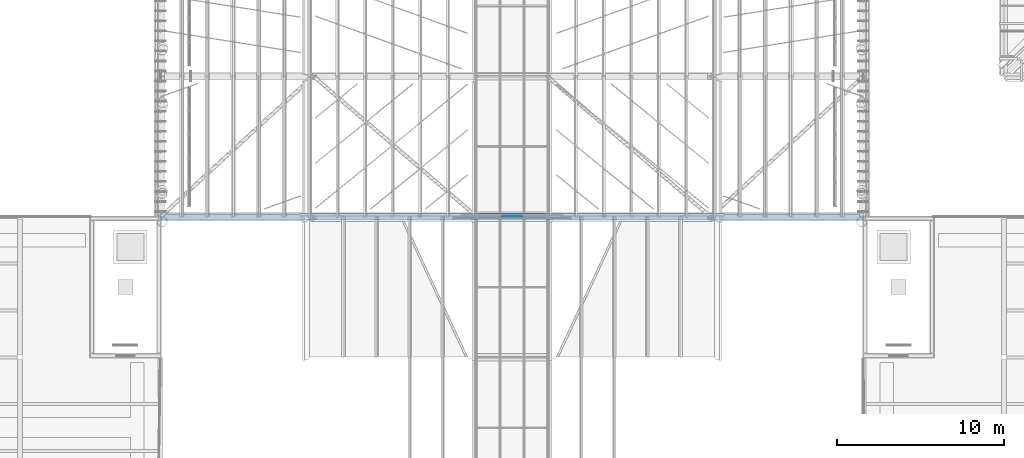
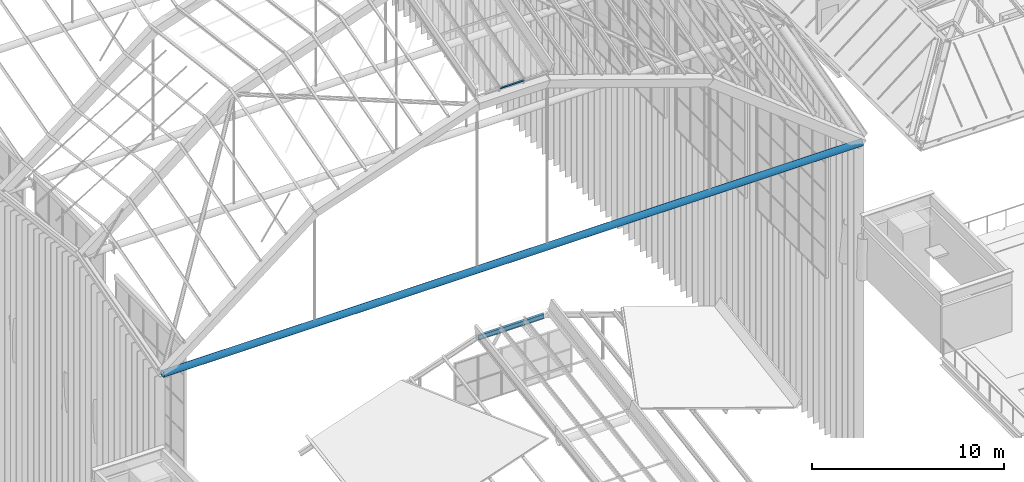
# One storey, part 18 of 126: 2 members, 1 beam.
"""IFC4 building model written with IfcOpenShell, lengths in metres."""

import ifcopenshell
import ifcopenshell.guid

model = None  # the IFC model being written
_history = None  # IfcOwnerHistory: only IFC2X3 demands one
_inside = {}  # id of a spatial element -> (the spatial element, [elements in it])
_under = {}  # id of a project, library or spatial element -> (it, [spatial elements below it])
_declared = {}  # id of a project -> (the project, [libraries it declares])
_typed = {}  # id of a type object -> (the type object, [elements of that type])
_made_of = {}  # id of a material, layer set ... -> (it, [elements and type objects made of it])


def new_model(schema):
    """Start an empty IFC model of exactly this schema.

    Asked for "IFC4X3", IfcOpenShell would pick the latest addendum, in which some entities
    have other attributes; the version numbers below select the first issue.
    IFC2X3 requires an IfcOwnerHistory on every rooted entity: one is made here for all.
    """
    global model, _history
    if schema == "IFC4X3":
        model = ifcopenshell.file(schema_version=(4, 3, 0, 0))
    else:
        model = ifcopenshell.file(schema=schema)
    _inside.clear()
    _under.clear()
    _declared.clear()
    _typed.clear()
    _made_of.clear()
    _history = None
    if model.schema == "IFC2X3":
        org = make("IfcOrganization", Name="unknown")
        user = make(
            "IfcPersonAndOrganization",
            ThePerson=make("IfcPerson", FamilyName="unknown"),
            TheOrganization=org,
        )
        app = make(
            "IfcApplication",
            ApplicationDeveloper=org,
            Version="unknown",
            ApplicationFullName="unknown",
            ApplicationIdentifier="unknown",
        )
        _history = make(
            "IfcOwnerHistory",
            OwningUser=user,
            OwningApplication=app,
            ChangeAction="ADDED",
            CreationDate=0,
        )
    return model


def make(cls, **values):
    """One entity of the class cls with the attributes given. An attribute that is None is left unset."""
    return model.create_entity(
        cls, **{name: value for name, value in values.items() if value is not None}
    )


def rooted(cls, **values):
    """An entity with a GlobalId (a new one), such as an element, a storey or a relation."""
    return make(cls, GlobalId=ifcopenshell.guid.new(), OwnerHistory=_history, **values)


def si_unit(unit_type, name, prefix=None):
    """IfcSIUnit, for example si_unit("LENGTHUNIT", "METRE", prefix="MILLI")."""
    return make("IfcSIUnit", UnitType=unit_type, Prefix=prefix, Name=name)


def assignment(units):
    """IfcUnitAssignment: the units of a project."""
    return None if units is None else make("IfcUnitAssignment", Units=units)


def point(xyz):
    """IfcCartesianPoint."""
    return None if xyz is None else make("IfcCartesianPoint", Coordinates=xyz)


def direction(xyz):
    """IfcDirection."""
    return None if xyz is None else make("IfcDirection", DirectionRatios=xyz)


def frame(location, z_axis=None, x_axis=None):
    """IfcAxis2Placement3D, a coordinate frame: its origin and axes. An axis left out is left unset."""
    return make(
        "IfcAxis2Placement3D",
        Location=point(location),
        Axis=direction(z_axis),
        RefDirection=direction(x_axis),
    )


def frame_2d(location, x_axis=None):
    """IfcAxis2Placement2D, a coordinate frame in the plane: its origin and x axis."""
    return make(
        "IfcAxis2Placement2D", Location=point(location), RefDirection=direction(x_axis)
    )


def origin():
    """The frame at (0, 0, 0) with its axes left unset."""
    return frame((0.0, 0.0, 0.0))


def origin_2d():
    """The frame at (0, 0) in the plane with its x axis left unset."""
    return frame_2d((0.0, 0.0))


def place(relative_to, where):
    """IfcLocalPlacement: puts the frame where relative to a parent placement (None: the world)."""
    return make(
        "IfcLocalPlacement", PlacementRelTo=relative_to, RelativePlacement=where
    )


def context(
    kind, dimensions, precision=None, world=None, true_north=None, identifier=None
):
    """IfcGeometricRepresentationContext, for example the 3D "Model" context."""
    return make(
        "IfcGeometricRepresentationContext",
        ContextIdentifier=identifier,
        ContextType=kind,
        CoordinateSpaceDimension=dimensions,
        Precision=precision,
        WorldCoordinateSystem=world,
        TrueNorth=true_north,
    )


def subcontext(parent, identifier, kind, view, scale=None):
    """IfcGeometricRepresentationSubContext, for example "Body" below "Model"."""
    return make(
        "IfcGeometricRepresentationSubContext",
        ContextIdentifier=identifier,
        ContextType=kind,
        ParentContext=parent,
        TargetScale=scale,
        TargetView=view,
    )


def project(units=None, contexts=None):
    """IfcProject with its units and contexts."""
    return rooted(
        "IfcProject",
        Name="project",
        RepresentationContexts=contexts,
        UnitsInContext=assignment(units),
    )


def spatial(cls, under=None, at=None, **own):
    """A site, building, storey or space (cls), placed at a placement, below another one or the project."""
    s = rooted(cls, ObjectPlacement=at, **own)
    if under is not None:
        _under.setdefault(under.id(), (under, []))[1].append(s)
    return s


def profile(cls, at=None, kind="AREA", **sizes):
    """A parametric profile (cls). Its sizes go by their IFC names, for example OverallWidth=200.0."""
    return make(cls, ProfileType=kind, Position=at, **sizes)


def rectangle(**sizes):
    """IfcRectangleProfileDef."""
    return profile("IfcRectangleProfileDef", **sizes)


def hollow_circle(**sizes):
    """IfcCircleHollowProfileDef."""
    return profile("IfcCircleHollowProfileDef", **sizes)


def i_section(**sizes):
    """IfcIShapeProfileDef."""
    return profile("IfcIShapeProfileDef", **sizes)


def extrude(swept, where, along, depth):
    """IfcExtrudedAreaSolid: the profile swept, set in the frame where, extruded along a direction by depth."""
    return make(
        "IfcExtrudedAreaSolid",
        SweptArea=swept,
        Position=where,
        ExtrudedDirection=direction(along),
        Depth=depth,
    )


def shape(context_of_items, identifier, shape_type, items):
    """IfcShapeRepresentation: the items that make up one representation, for example the "Body"."""
    return make(
        "IfcShapeRepresentation",
        ContextOfItems=context_of_items,
        RepresentationIdentifier=identifier,
        RepresentationType=shape_type,
        Items=items,
    )


def material(Name=None, Category=None):
    """IfcMaterial."""
    return make("IfcMaterial", Name=Name, Category=Category)


def material_profile(
    of_material, cross_section, Name=None, Category=None, Priority=None
):
    """IfcMaterialProfile: a cross section and its material."""
    return make(
        "IfcMaterialProfile",
        Name=Name,
        Material=of_material,
        Profile=cross_section,
        Priority=Priority,
        Category=Category,
    )


def profile_set(profiles, Name=None, composite=None):
    """IfcMaterialProfileSet."""
    return make(
        "IfcMaterialProfileSet",
        Name=Name,
        MaterialProfiles=profiles,
        CompositeProfile=composite,
    )


def made_of(thing, what):
    """Note that an element or type object is made of a material, layer set ...; save() writes the relation."""
    if what is not None:
        _made_of.setdefault(what.id(), (what, []))[1].append(thing)
    return thing


def type_object(cls, material=None, **own):
    """A type object (cls), such as IfcWallType, which elements share."""
    return made_of(rooted(cls, **own), material)


def element(
    cls,
    number,
    at=None,
    inside=None,
    cuts=None,
    type_object=None,
    material=None,
    context=None,
    identifier="Body",
    shape_type=None,
    held_by="IfcProductDefinitionShape",
    body=None,
    shapes=None,
    **own,
):
    """One element of the class cls, such as IfcWall. Its Tag is "e" and its number.

    at: its placement. inside: the storey or other place that contains it. cuts: it is an
    opening in that element (IfcRelVoidsElement). A single representation is given by context,
    identifier, shape_type and body (its items); several are given by shapes. held_by: the class
    of the entity that holds the representations. save() writes the other relations.
    """
    e = rooted(cls, Tag="e%d" % number, ObjectPlacement=at, **own)
    if body is not None:
        shapes = [shape(context, identifier, shape_type, body)]
    if shapes is not None:
        e.Representation = make(held_by, Representations=shapes)
    if inside is not None:
        _inside.setdefault(inside.id(), (inside, []))[1].append(e)
    if cuts is not None:
        rooted(
            "IfcRelVoidsElement", RelatingBuildingElement=cuts, RelatedOpeningElement=e
        )
    if type_object is not None:
        _typed.setdefault(type_object.id(), (type_object, []))[1].append(e)
    return made_of(e, material)


def aggregate(whole, parts):
    """IfcRelAggregates: a whole, such as a stair, and the parts it consists of."""
    return rooted("IfcRelAggregates", RelatingObject=whole, RelatedObjects=parts)


def save(model, path):
    """Write the relations noted so far, then the file.

    IfcRelAggregates (storeys below a building ...), IfcRelContainedInSpatialStructure (elements
    in a storey), IfcRelDefinesByType, IfcRelAssociatesMaterial and IfcRelDeclares: one each for
    every whole, place, type object, material and project.
    """
    for whole, parts in _under.values():
        aggregate(whole, parts)
    for where, things in _inside.values():
        rooted(
            "IfcRelContainedInSpatialStructure",
            RelatedElements=things,
            RelatingStructure=where,
        )
    for kind, things in _typed.values():
        rooted("IfcRelDefinesByType", RelatedObjects=things, RelatingType=kind)
    for what, things in _made_of.values():
        rooted("IfcRelAssociatesMaterial", RelatedObjects=things, RelatingMaterial=what)
    for by, libraries in _declared.values():
        rooted("IfcRelDeclares", RelatingContext=by, RelatedDefinitions=libraries)
    model.write(path)


model = new_model("IFC4")

# Units and contexts
model_context = context("Model", 3, precision=1e-05, world=origin(), true_north=direction((0.0, 1.0)))
body_context = subcontext(model_context, "Body", "Model", "MODEL_VIEW")
ifc_project = project(units=[si_unit("LENGTHUNIT", "METRE"), si_unit("AREAUNIT", "SQUARE_METRE"), si_unit("VOLUMEUNIT", "CUBIC_METRE"), si_unit("PLANEANGLEUNIT", "RADIAN"), si_unit("MASSUNIT", "GRAM", prefix="KILO")], contexts=[model_context])

# Site, building, storey
site_placement = place(None, origin())
site = spatial("IfcSite", under=ifc_project, at=site_placement, CompositionType="ELEMENT")
building_placement = place(site_placement, origin())
building = spatial("IfcBuilding", under=site, at=building_placement, Name="Sava Quay Ferry Terminal", CompositionType="ELEMENT")
storey_placement = place(building_placement, frame((0.0, 0.0, 15.0)))
storey = spatial("IfcBuildingStorey", under=building, at=storey_placement, Name="L03", CompositionType="ELEMENT", Elevation=15.0)

# Member
ifc_material_1 = material(Name="Steel S355", Category="steel")
ifc_material_profile_1 = material_profile(ifc_material_1, hollow_circle(Radius=0.203125, WallThickness=0.01611328125, at=origin_2d()), Name="CHS 406.4 x 16.0")
ifc_profile_set_1 = profile_set([ifc_material_profile_1], Name="Steel S355")
member_type_1 = type_object("IfcMemberType", Name="D arch tie CHS 406.4x16", PredefinedType="USERDEFINED", material=ifc_profile_set_1)
member_1_placement = place(storey_placement, frame((42.0, 50.39990234375, 8.39990234375), z_axis=(1.0, 0.0, 0.0), x_axis=(0.0, 1.0, 0.0)))
element("IfcMember", 1, at=member_1_placement, inside=storey, type_object=member_type_1, Name="Departure hall arch tie R0", ObjectType="ARCH TIE", PredefinedType="USERDEFINED", context=body_context, shape_type="SweptSolid", body=[
    extrude(hollow_circle(Radius=0.203125, WallThickness=0.01611328125, at=origin_2d()), origin(), (0.0, 0.0, 1.0), 42.0),
])

# Beam
ifc_material_2 = material(Name="Steel S355", Category="steel")
ifc_material_profile_2 = material_profile(ifc_material_2, i_section(OverallWidth=0.14990234375, OverallDepth=0.300048828125, WebThickness=0.007080078125, FlangeThickness=0.0107421875, at=origin_2d()), Name="IPE 300")
ifc_profile_set_2 = profile_set([ifc_material_profile_2], Name="Steel S355")
beam_type = type_object("IfcBeamType", Name="Gable abutment beam IPE 300", PredefinedType="BEAM", material=ifc_profile_set_2)
beam_placement = place(storey_placement, frame((61.014892578125, 50.512451171875, 3.978759765625), z_axis=(1.0, 0.0, 0.0), x_axis=(0.0, 1.0, 0.0)))
element("IfcBeam", 2, at=beam_placement, inside=storey, type_object=beam_type, Name="Arrivals hall gable abutment beam crown", PredefinedType="BEAM", context=body_context, shape_type="SweptSolid", body=[
    extrude(i_section(OverallWidth=0.14990234375, OverallDepth=0.300048828125, WebThickness=0.007080078125, FlangeThickness=0.0107421875, at=origin_2d()), origin(), (0.0, 0.0, 1.0), 3.97021484375),
])

# Member
ifc_material_3 = material(Name="Aluminium EN AW-6063 T6", Category="aluminium")
ifc_material_profile_3 = material_profile(ifc_material_3, rectangle(XDim=0.06005859375, YDim=0.06005859375, at=origin_2d()), Name="Bar 60 x 60")
ifc_profile_set_3 = profile_set([ifc_material_profile_3], Name="Aluminium EN AW-6063 T6")
member_type_2 = type_object("IfcMemberType", Name="Glazing bar 60x60", PredefinedType="USERDEFINED", material=ifc_profile_set_3)
member_2_placement = place(storey_placement, frame((62.296875, 50.39990234375, 19.442138671875), z_axis=(1.0, 0.0, 0.0), x_axis=(0.0, 0.962815070048, 0.270161323822)))
element("IfcMember", 3, at=member_2_placement, inside=storey, type_object=member_type_2, Name="Departure hall glazing bar D-R0-GT2.1", ObjectType="GLAZING BAR", PredefinedType="USERDEFINED", context=body_context, shape_type="SweptSolid", body=[
    extrude(rectangle(XDim=0.06005859375, YDim=0.06005859375, at=origin_2d()), origin(), (0.0, 0.0, 1.0), 1.40625),
])

save(model, "model.ifc")
